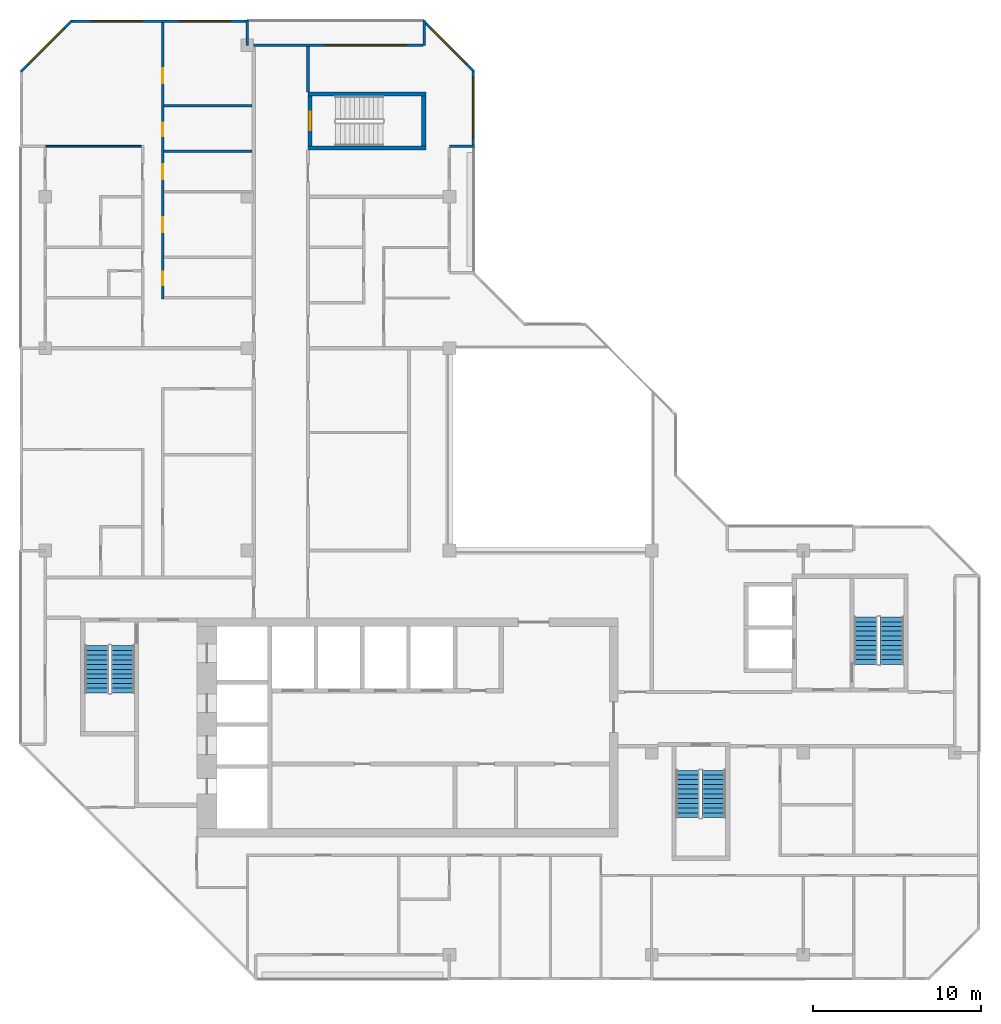
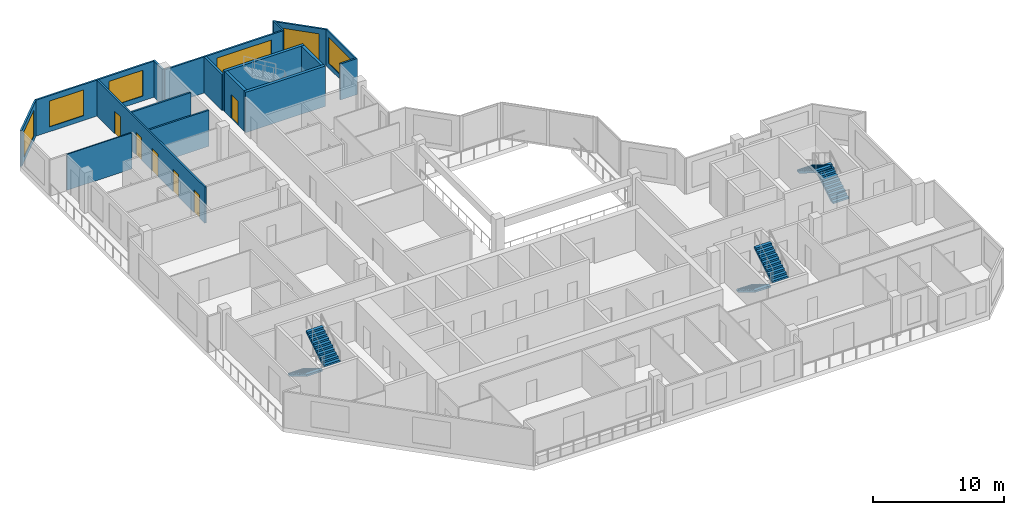
# One storey, part 9 of 12: 17 walls, 6 doors, 6 stair flights, 6 windows, 12 openings, 3 elements without a shape of their own.
"""IFC4 building model written with IfcOpenShell, lengths in metres."""

from ifc_helpers import new_model, si_unit, direction, frame, frame_2d, origin, place, context, subcontext, project, spatial, polyline, rectangle, outline, extrude, material, layer, layer_set, type_object, element, fill, aggregate, save


model = new_model("IFC4")

# Units and contexts
model_context = context("Model", 3, precision=1e-05, world=origin(), true_north=direction((0.0, 1.0)))
body_context = subcontext(model_context, "Body", "Model", "MODEL_VIEW")
ifc_project = project(units=[si_unit("LENGTHUNIT", "METRE"), si_unit("AREAUNIT", "SQUARE_METRE"), si_unit("VOLUMEUNIT", "CUBIC_METRE"), si_unit("PLANEANGLEUNIT", "RADIAN"), si_unit("MASSUNIT", "GRAM", prefix="KILO")], contexts=[model_context])

# Site, building, storey
site_placement = place(None, origin())
site = spatial("IfcSite", under=ifc_project, at=site_placement, CompositionType="ELEMENT")
building_placement = place(site_placement, origin())
building = spatial("IfcBuilding", under=site, at=building_placement, Name="Chenar Terraces", CompositionType="ELEMENT")
storey_placement = place(building_placement, frame((0.0, 0.0, 350.14990234375)))
storey = spatial("IfcBuildingStorey", under=building, at=storey_placement, Name="L81", CompositionType="ELEMENT", Elevation=350.14990234375)

# Walls
ifc_material_1 = material(Name="Concrete C50/60", Category="concrete")
ifc_layer_1 = layer(ifc_material_1, 0.25)
ifc_layer_set_1 = layer_set([ifc_layer_1], Name="Concrete C50/60")
wall_type_1 = type_object("IfcWallType", Name="Core wall 250 Concrete C50/60", PredefinedType="SHEAR", material=ifc_layer_set_1)
for number, where, z_axis, x_axis, name in (
    (1, (15.60009765625, 47.89990234375, 0.0), (0.0, 0.0, 1.0), (1.0, 0.0, 0.0), "Core wall ST4_S L81"),
    (2, (15.60009765625, 51.10009765625, 0.0), (0.0, 0.0, 1.0), (1.0, 0.0, 0.0), "Core wall ST4_N L81"),
):
    element("IfcWall", number, at=place(storey_placement, frame(where, z_axis=z_axis, x_axis=x_axis)), inside=storey, type_object=wall_type_1, Name=name, PredefinedType="SHEAR", context=body_context, shape_type="SweptSolid", body=[
        extrude(rectangle(XDim=7.0, YDim=0.25, at=frame_2d((3.5, 0.0))), origin(), (0.0, 0.0, 1.0), 3.75),
    ])

# Wall, opening, door
wall_1_placement = place(storey_placement, frame((15.72509765625, 48.02490234375, 0.0), z_axis=(0.0, 0.0, 1.0), x_axis=(0.0, 1.0, 0.0)))
wall_1 = element("IfcWall", 3, at=wall_1_placement, inside=storey, type_object=wall_type_1, Name="Core wall ST4_W L81", PredefinedType="SHEAR", context=body_context, shape_type="SweptSolid", body=[
    extrude(rectangle(XDim=2.9501953125, YDim=0.25, at=frame_2d((1.47509765625, 0.0))), origin(), (0.0, 0.0, 1.0), 3.75),
])
opening_1_placement = place(wall_1_placement, frame((0.925048828125, 0.0, 0.0)))
opening_1 = element("IfcOpeningElement", 4, at=opening_1_placement, cuts=wall_1, Name="Opening DL81-C9", PredefinedType="OPENING", context=body_context, shape_type="SweptSolid", body=[
    extrude(rectangle(XDim=1.10009765625, YDim=2.199951171875, at=frame_2d((0.550048828125, 1.10009765625))), frame((0.0, 0.135009765625, 0.0), z_axis=(0.0, -1.0, 0.0), x_axis=(1.0, 0.0, 0.0)), (0.0, 0.0, 1.0), 0.27001953125),
])
ifc_material_2 = material(Name="Steel-framed fire-resisting door leaf", Category="steel")
door_type_1 = type_object("IfcDoorType", Name="Stair fire door FD60 1100 x 2200", OperationType="SINGLE_SWING_LEFT", PredefinedType="DOOR", material=ifc_material_2)
door_1_placement = place(opening_1_placement, frame((1.10009765625, 0.0, 0.0), z_axis=(0.0, 0.0, 1.0), x_axis=(-1.0, 0.0, 0.0)))
door_1 = element("IfcDoor", 5, at=door_1_placement, inside=storey, type_object=door_type_1, Name="Stair door DL81-C9", OperationType="SINGLE_SWING_RIGHT", OverallHeight=2.199951171875, OverallWidth=1.10009765625, PredefinedType="DOOR", context=body_context, shape_type="SweptSolid", body=[
    extrude(rectangle(XDim=1.10009765625, YDim=2.199951171875, at=frame_2d((0.550048828125, 1.10009765625))), frame((0.0, 0.02490234375, 0.0), z_axis=(0.0, -1.0, 0.0), x_axis=(1.0, 0.0, 0.0)), (0.0, 0.0, 1.0), 0.050048828125),
])
fill(opening_1, door_1)

# Walls
wall_2_placement = place(storey_placement, frame((22.47509765625, 48.02490234375, 0.0), z_axis=(0.0, 0.0, 1.0), x_axis=(0.0, 1.0, 0.0)))
element("IfcWall", 6, at=wall_2_placement, inside=storey, type_object=wall_type_1, Name="Core wall ST4_E L81", PredefinedType="SHEAR", context=body_context, shape_type="SweptSolid", body=[
    extrude(rectangle(XDim=2.9501953125, YDim=0.25, at=frame_2d((1.47509765625, 0.0))), origin(), (0.0, 0.0, 1.0), 3.75),
])
ifc_material_3 = material(Name="Gypsum board on steel studs with fire boards", Category="steel")
ifc_layer_2 = layer(ifc_material_3, 0.199951171875)
ifc_layer_set_2 = layer_set([ifc_layer_2], Name="Gypsum board on steel studs with fire boards")
wall_type_2 = type_object("IfcWallType", Name="Corridor wall 200", PredefinedType="PARTITIONING", material=ifc_layer_set_2)
wall_3_placement = place(storey_placement, frame((15.60009765625, 51.22509765625, 0.0), z_axis=(0.0, 0.0, 1.0), x_axis=(0.0, 1.0, 0.0)))
element("IfcWall", 7, at=wall_3_placement, inside=storey, type_object=wall_type_2, Name="Partition L81-032", PredefinedType="PARTITIONING", context=body_context, shape_type="SweptSolid", body=[
    extrude(rectangle(XDim=2.700927734375, YDim=0.199951171875, at=frame_2d((1.3505859375, 0.0))), origin(), (0.0, 0.0, 1.0), 3.35009765625),
])

# Wall, opening, window
ifc_material_4 = material(Name="Aluminium framed glazing", Category="aluminium")
ifc_layer_3 = layer(ifc_material_4, 0.14990234375)
ifc_layer_set_3 = layer_set([ifc_layer_3], Name="Aluminium framed glazing")
wall_type_3 = type_object("IfcWallType", Name="Glazed flush facade wall 150", PredefinedType="SOLIDWALL", material=ifc_layer_set_3)
wall_4_placement = place(storey_placement, frame((25.425048828125, 48.074951171875, 0.0), z_axis=(0.0, 0.0, 1.0), x_axis=(0.0, 1.0, 0.0)))
wall_4 = element("IfcWall", 8, at=wall_4_placement, inside=storey, type_object=wall_type_3, Name="Glazed flush facade wall", PredefinedType="SOLIDWALL", context=body_context, shape_type="SweptSolid", body=[
    extrude(rectangle(XDim=4.425048828125, YDim=0.14990234375, at=frame_2d((2.21240234375, 0.0))), origin(), (0.0, 0.0, 1.0), 3.35009765625),
])
opening_2_placement = place(wall_4_placement, frame((0.41259765625, 0.0, 0.449951171875)))
opening_2 = element("IfcOpeningElement", 9, at=opening_2_placement, cuts=wall_4, Name="Opening W360x240", PredefinedType="OPENING", context=body_context, shape_type="SweptSolid", body=[
    extrude(rectangle(XDim=3.60009765625, YDim=2.39990234375, at=frame_2d((1.800048828125, 1.199951171875))), frame((0.0, 0.0849609375, 0.0), z_axis=(0.0, -1.0, 0.0), x_axis=(1.0, 0.0, 0.0)), (0.0, 0.0, 1.0), 0.169921875),
])
ifc_material_5 = material(Name="Low emissivity double glazing, aluminium frame", Category="aluminium")
window_type_1 = type_object("IfcWindowType", Name="Fixed light 3600 x 2400", PartitioningType="SINGLE_PANEL", PredefinedType="WINDOW", material=ifc_material_5)
window_1_placement = place(opening_2_placement, origin())
window_1 = element("IfcWindow", 10, at=window_1_placement, inside=storey, type_object=window_type_1, Name="Window", OverallHeight=2.39990234375, OverallWidth=3.60009765625, PartitioningType="SINGLE_PANEL", PredefinedType="WINDOW", context=body_context, shape_type="SweptSolid", body=[
    extrude(rectangle(XDim=3.60009765625, YDim=2.39990234375, at=frame_2d((1.800048828125, 1.199951171875))), frame((0.0, 0.030029296875, 0.0), z_axis=(0.0, -1.0, 0.0), x_axis=(1.0, 0.0, 0.0)), (0.0, 0.0, 1.0), 0.06005859375),
])
fill(opening_2, window_1)

# Wall, openings, windows
wall_5_placement = place(storey_placement, frame((11.925048828125, 55.425048828125, 0.0), z_axis=(0.0, 0.0, 1.0), x_axis=(-1.0, 0.0, 0.0)))
wall_5 = element("IfcWall", 11, at=wall_5_placement, inside=storey, type_object=wall_type_3, Name="Glazed flush facade wall", PredefinedType="SOLIDWALL", context=body_context, shape_type="SweptSolid", body=[
    extrude(rectangle(XDim=10.425048828125, YDim=0.14990234375, at=frame_2d((5.21240234375, 0.0))), origin(), (0.0, 0.0, 1.0), 3.35009765625),
])
opening_3_placement = place(wall_5_placement, frame((0.97509765625, 0.0, 0.449951171875)))
opening_3 = element("IfcOpeningElement", 12, at=opening_3_placement, cuts=wall_5, Name="Opening W300x240", PredefinedType="OPENING", context=body_context, shape_type="SweptSolid", body=[
    extrude(rectangle(XDim=3.0, YDim=2.39990234375, at=frame_2d((1.5, 1.199951171875))), frame((0.0, 0.0849609375, 0.0), z_axis=(0.0, -1.0, 0.0), x_axis=(1.0, 0.0, 0.0)), (0.0, 0.0, 1.0), 0.169921875),
])
opening_4_placement = place(wall_5_placement, frame((6.1875, 0.0, 0.449951171875)))
opening_4 = element("IfcOpeningElement", 13, at=opening_4_placement, cuts=wall_5, Name="Opening W300x240", PredefinedType="OPENING", context=body_context, shape_type="SweptSolid", body=[
    extrude(rectangle(XDim=3.0, YDim=2.39990234375, at=frame_2d((1.5, 1.199951171875))), frame((0.0, 0.0849609375, 0.0), z_axis=(0.0, -1.0, 0.0), x_axis=(1.0, 0.0, 0.0)), (0.0, 0.0, 1.0), 0.169921875),
])
ifc_material_6 = material(Name="Low emissivity double glazing, aluminium frame", Category="aluminium")
window_type_2 = type_object("IfcWindowType", Name="Fixed light 3000 x 2400", PartitioningType="SINGLE_PANEL", PredefinedType="WINDOW", material=ifc_material_6)
window_2_placement = place(opening_3_placement, origin())
window_2 = element("IfcWindow", 14, at=window_2_placement, inside=storey, type_object=window_type_2, Name="Window", OverallHeight=2.39990234375, OverallWidth=3.0, PartitioningType="SINGLE_PANEL", PredefinedType="WINDOW", context=body_context, shape_type="SweptSolid", body=[
    extrude(rectangle(XDim=3.0, YDim=2.39990234375, at=frame_2d((1.5, 1.199951171875))), frame((0.0, 0.030029296875, 0.0), z_axis=(0.0, -1.0, 0.0), x_axis=(1.0, 0.0, 0.0)), (0.0, 0.0, 1.0), 0.06005859375),
])
fill(opening_3, window_2)
window_3_placement = place(opening_4_placement, origin())
window_3 = element("IfcWindow", 15, at=window_3_placement, inside=storey, type_object=window_type_2, Name="Window", OverallHeight=2.39990234375, OverallWidth=3.0, PartitioningType="SINGLE_PANEL", PredefinedType="WINDOW", context=body_context, shape_type="SweptSolid", body=[
    extrude(rectangle(XDim=3.0, YDim=2.39990234375, at=frame_2d((1.5, 1.199951171875))), frame((0.0, 0.030029296875, 0.0), z_axis=(0.0, -1.0, 0.0), x_axis=(1.0, 0.0, 0.0)), (0.0, 0.0, 1.0), 0.06005859375),
])
fill(opening_4, window_3)

# Wall, opening, window
ifc_material_7 = material(Name="Aluminium framed glazing", Category="aluminium")
ifc_layer_4 = layer(ifc_material_7, 0.14990234375)
ifc_layer_set_4 = layer_set([ifc_layer_4], Name="Aluminium framed glazing")
wall_type_4 = type_object("IfcWallType", Name="Glazed loggia back wall 150", PredefinedType="SOLIDWALL", material=ifc_layer_set_4)
wall_6_placement = place(storey_placement, frame((22.425048828125, 54.0, 0.0), z_axis=(0.0, 0.0, 1.0), x_axis=(-1.0, 0.0, 0.0)))
wall_6 = element("IfcWall", 16, at=wall_6_placement, inside=storey, type_object=wall_type_4, Name="Glazed loggia back wall", PredefinedType="SOLIDWALL", context=body_context, shape_type="SweptSolid", body=[
    extrude(rectangle(XDim=10.35009765625, YDim=0.14990234375, at=frame_2d((5.175048828125, 0.0))), origin(), (0.0, 0.0, 1.0), 3.35009765625),
])
opening_5_placement = place(wall_6_placement, frame((1.012451171875, 0.0, 0.449951171875)))
opening_5 = element("IfcOpeningElement", 17, at=opening_5_placement, cuts=wall_6, Name="Opening W480x240", PredefinedType="OPENING", context=body_context, shape_type="SweptSolid", body=[
    extrude(rectangle(XDim=4.800048828125, YDim=2.39990234375, at=frame_2d((2.39990234375, 1.199951171875))), frame((0.0, 0.0849609375, 0.0), z_axis=(0.0, -1.0, 0.0), x_axis=(1.0, 0.0, 0.0)), (0.0, 0.0, 1.0), 0.169921875),
])
ifc_material_8 = material(Name="Low emissivity double glazing, aluminium frame", Category="aluminium")
window_type_3 = type_object("IfcWindowType", Name="Fixed light 4800 x 2400", PartitioningType="SINGLE_PANEL", PredefinedType="WINDOW", material=ifc_material_8)
window_4_placement = place(opening_5_placement, origin())
window_4 = element("IfcWindow", 18, at=window_4_placement, inside=storey, type_object=window_type_3, Name="Window", OverallHeight=2.39990234375, OverallWidth=4.800048828125, PartitioningType="SINGLE_PANEL", PredefinedType="WINDOW", context=body_context, shape_type="SweptSolid", body=[
    extrude(rectangle(XDim=4.800048828125, YDim=2.39990234375, at=frame_2d((2.39990234375, 1.199951171875))), frame((0.0, 0.030029296875, 0.0), z_axis=(0.0, -1.0, 0.0), x_axis=(1.0, 0.0, 0.0)), (0.0, 0.0, 1.0), 0.06005859375),
])
fill(opening_5, window_4)

# Walls
ifc_material_9 = material(Name="Gypsum board on steel studs", Category="steel")
ifc_layer_5 = layer(ifc_material_9, 0.10009765625)
ifc_layer_set_5 = layer_set([ifc_layer_5], Name="Gypsum board on steel studs")
wall_type_5 = type_object("IfcWallType", Name="Gypsum partition 100", PredefinedType="PARTITIONING", material=ifc_layer_set_5)
wall_7_placement = place(storey_placement, frame((0.0, 48.0, 0.0), z_axis=(0.0, 0.0, 1.0), x_axis=(1.0, 0.0, 0.0)))
element("IfcWall", 19, at=wall_7_placement, inside=storey, type_object=wall_type_5, Name="Partition L81-003", PredefinedType="PARTITIONING", context=body_context, shape_type="SweptSolid", body=[
    extrude(rectangle(XDim=5.699951171875, YDim=0.10009765625, at=frame_2d((2.85009765625, 0.0))), origin(), (0.0, 0.0, 1.0), 3.35009765625),
])
ifc_material_10 = material(Name="Terracotta cladding on insulated backing", Category="masonry")
ifc_layer_6 = layer(ifc_material_10, 0.14990234375)
ifc_layer_set_6 = layer_set([ifc_layer_6], Name="Terracotta cladding on insulated backing")
wall_type_6 = type_object("IfcWallType", Name="Loggia return wall 150", PredefinedType="SOLIDWALL", material=ifc_layer_set_6)
for number, where, z_axis, x_axis, name in (
    (20, (25.5, 48.0, 0.0), (0.0, 0.0, 1.0), (-1.0, 0.0, 0.0), "Loggia return wall"),
    (21, (22.5, 55.5, 0.0), (0.0, 0.0, 1.0), (0.0, -1.0, 0.0), "Loggia return wall"),
    (22, (12.0, 55.5, 0.0), (0.0, 0.0, 1.0), (0.0, -1.0, 0.0), "Loggia return wall"),
):
    element("IfcWall", number, at=place(storey_placement, frame(where, z_axis=z_axis, x_axis=x_axis)), inside=storey, type_object=wall_type_6, Name=name, PredefinedType="SOLIDWALL", context=body_context, shape_type="SweptSolid", body=[
        extrude(rectangle(XDim=1.5, YDim=0.14990234375, at=frame_2d((0.75, 0.0))), origin(), (0.0, 0.0, 1.0), 3.35009765625),
    ])

# Wall, opening, window
ifc_material_11 = material(Name="Terracotta cladding on insulated backing", Category="masonry")
ifc_layer_7 = layer(ifc_material_11, 0.14990234375)
ifc_layer_set_7 = layer_set([ifc_layer_7], Name="Terracotta cladding on insulated backing")
wall_type_7 = type_object("IfcWallType", Name="Terracotta rainscreen wall 150", PredefinedType="SOLIDWALL", material=ifc_layer_set_7)
wall_8_placement = place(storey_placement, frame((25.447021484375, 52.447021484375, 0.0), z_axis=(0.0, 0.0, 1.0), x_axis=(-0.707106781187, 0.707106781187, 0.0)))
wall_8 = element("IfcWall", 23, at=wall_8_placement, inside=storey, type_object=wall_type_7, Name="Terracotta rainscreen wall", PredefinedType="SOLIDWALL", context=body_context, shape_type="SweptSolid", body=[
    extrude(rectangle(XDim=4.24267578125, YDim=0.14990234375, at=frame_2d((2.121337890625, 0.0))), origin(), (0.0, 0.0, 1.0), 3.35009765625),
])
opening_6_placement = place(wall_8_placement, frame((0.621337890625, 0.0, 0.449951171875)))
opening_6 = element("IfcOpeningElement", 24, at=opening_6_placement, cuts=wall_8, Name="Opening W300x240", PredefinedType="OPENING", context=body_context, shape_type="SweptSolid", body=[
    extrude(rectangle(XDim=3.0, YDim=2.39990234375, at=frame_2d((1.5, 1.199951171875))), frame((0.0, 0.0849609375, 0.0), z_axis=(0.0, -1.0, 0.0), x_axis=(1.0, 0.0, 0.0)), (0.0, 0.0, 1.0), 0.169921875),
])
window_5_placement = place(opening_6_placement, origin())
window_5 = element("IfcWindow", 25, at=window_5_placement, inside=storey, type_object=window_type_2, Name="Window", OverallHeight=2.39990234375, OverallWidth=3.0, PartitioningType="SINGLE_PANEL", PredefinedType="WINDOW", context=body_context, shape_type="SweptSolid", body=[
    extrude(rectangle(XDim=3.0, YDim=2.39990234375, at=frame_2d((1.5, 1.199951171875))), frame((0.0, 0.030029296875, 0.0), z_axis=(0.0, -1.0, 0.0), x_axis=(1.0, 0.0, 0.0)), (0.0, 0.0, 1.0), 0.06005859375),
])
fill(opening_6, window_5)

wall_9_placement = place(storey_placement, frame((1.552978515625, 55.447021484375, 0.0), z_axis=(0.0, 0.0, 1.0), x_axis=(-0.707106781187, -0.707106781187, 0.0)))
wall_9 = element("IfcWall", 26, at=wall_9_placement, inside=storey, type_object=wall_type_7, Name="Terracotta rainscreen wall", PredefinedType="SOLIDWALL", context=body_context, shape_type="SweptSolid", body=[
    extrude(rectangle(XDim=4.24267578125, YDim=0.14990234375, at=frame_2d((2.121337890625, 0.0))), origin(), (0.0, 0.0, 1.0), 3.35009765625),
])
opening_7_placement = place(wall_9_placement, frame((0.621337890625, 0.0, 0.449951171875)))
opening_7 = element("IfcOpeningElement", 27, at=opening_7_placement, cuts=wall_9, Name="Opening W300x240", PredefinedType="OPENING", context=body_context, shape_type="SweptSolid", body=[
    extrude(rectangle(XDim=3.0, YDim=2.39990234375, at=frame_2d((1.5, 1.199951171875))), frame((0.0, 0.0849609375, 0.0), z_axis=(0.0, -1.0, 0.0), x_axis=(1.0, 0.0, 0.0)), (0.0, 0.0, 1.0), 0.169921875),
])
window_6_placement = place(opening_7_placement, origin())
window_6 = element("IfcWindow", 28, at=window_6_placement, inside=storey, type_object=window_type_2, Name="Window", OverallHeight=2.39990234375, OverallWidth=3.0, PartitioningType="SINGLE_PANEL", PredefinedType="WINDOW", context=body_context, shape_type="SweptSolid", body=[
    extrude(rectangle(XDim=3.0, YDim=2.39990234375, at=frame_2d((1.5, 1.199951171875))), frame((0.0, 0.030029296875, 0.0), z_axis=(0.0, -1.0, 0.0), x_axis=(1.0, 0.0, 0.0)), (0.0, 0.0, 1.0), 0.06005859375),
])
fill(opening_7, window_6)

# Wall, openings, doors
ifc_material_12 = material(Name="Moisture-resistant gypsum board on steel studs", Category="steel")
ifc_layer_8 = layer(ifc_material_12, 0.14990234375)
ifc_layer_set_8 = layer_set([ifc_layer_8], Name="Moisture-resistant gypsum board on steel studs")
wall_type_8 = type_object("IfcWallType", Name="Wet-room partition 150", PredefinedType="PARTITIONING", material=ifc_layer_set_8)
wall_10_placement = place(storey_placement, frame((6.97509765625, 38.925048828125, 0.0), z_axis=(0.0, 0.0, 1.0), x_axis=(0.0, 1.0, 0.0)))
wall_10 = element("IfcWall", 29, at=wall_10_placement, inside=storey, type_object=wall_type_8, Name="Partition L81-018", PredefinedType="PARTITIONING", context=body_context, shape_type="SweptSolid", body=[
    extrude(rectangle(XDim=16.425048828125, YDim=0.14990234375, at=frame_2d((8.21240234375, 0.0))), origin(), (0.0, 0.0, 1.0), 3.35009765625),
])
opening_8_placement = place(wall_10_placement, frame((0.824951171875, 0.0, 0.0)))
opening_8 = element("IfcOpeningElement", 30, at=opening_8_placement, cuts=wall_10, Name="Opening DL81-9", PredefinedType="OPENING", context=body_context, shape_type="SweptSolid", body=[
    extrude(rectangle(XDim=0.800048828125, YDim=2.10009765625, at=frame_2d((0.39990234375, 1.050048828125))), frame((0.0, 0.0849609375, 0.0), z_axis=(0.0, -1.0, 0.0), x_axis=(1.0, 0.0, 0.0)), (0.0, 0.0, 1.0), 0.169921875),
])
opening_9_placement = place(wall_10_placement, frame((12.824951171875, 0.0, 0.0)))
opening_9 = element("IfcOpeningElement", 31, at=opening_9_placement, cuts=wall_10, Name="Opening DL81-13", PredefinedType="OPENING", context=body_context, shape_type="SweptSolid", body=[
    extrude(rectangle(XDim=0.89990234375, YDim=2.10009765625, at=frame_2d((0.449951171875, 1.050048828125))), frame((0.0, 0.0849609375, 0.0), z_axis=(0.0, -1.0, 0.0), x_axis=(1.0, 0.0, 0.0)), (0.0, 0.0, 1.0), 0.169921875),
])
opening_10_placement = place(wall_10_placement, frame((3.97509765625, 0.0, 0.0)))
opening_10 = element("IfcOpeningElement", 32, at=opening_10_placement, cuts=wall_10, Name="Opening DL81-17", PredefinedType="OPENING", context=body_context, shape_type="SweptSolid", body=[
    extrude(rectangle(XDim=0.89990234375, YDim=2.10009765625, at=frame_2d((0.449951171875, 1.050048828125))), frame((0.0, 0.0849609375, 0.0), z_axis=(0.0, -1.0, 0.0), x_axis=(1.0, 0.0, 0.0)), (0.0, 0.0, 1.0), 0.169921875),
])
opening_11_placement = place(wall_10_placement, frame((7.125, 0.0, 0.0)))
opening_11 = element("IfcOpeningElement", 33, at=opening_11_placement, cuts=wall_10, Name="Opening DL81-18", PredefinedType="OPENING", context=body_context, shape_type="SweptSolid", body=[
    extrude(rectangle(XDim=0.89990234375, YDim=2.10009765625, at=frame_2d((0.449951171875, 1.050048828125))), frame((0.0, 0.0849609375, 0.0), z_axis=(0.0, -1.0, 0.0), x_axis=(1.0, 0.0, 0.0)), (0.0, 0.0, 1.0), 0.169921875),
])
opening_12_placement = place(wall_10_placement, frame((9.675048828125, 0.0, 0.0)))
opening_12 = element("IfcOpeningElement", 34, at=opening_12_placement, cuts=wall_10, Name="Opening DL81-19", PredefinedType="OPENING", context=body_context, shape_type="SweptSolid", body=[
    extrude(rectangle(XDim=0.800048828125, YDim=2.10009765625, at=frame_2d((0.39990234375, 1.050048828125))), frame((0.0, 0.0849609375, 0.0), z_axis=(0.0, -1.0, 0.0), x_axis=(1.0, 0.0, 0.0)), (0.0, 0.0, 1.0), 0.169921875),
])
ifc_material_13 = material(Name="Veneered timber door leaf", Category="wood")
door_type_2 = type_object("IfcDoorType", Name="Door 800 x 2100", OperationType="SINGLE_SWING_LEFT", PredefinedType="DOOR", material=ifc_material_13)
door_2_placement = place(opening_8_placement, frame((0.800048828125, 0.0, 0.0), z_axis=(0.0, 0.0, 1.0), x_axis=(-1.0, 0.0, 0.0)))
door_2 = element("IfcDoor", 35, at=door_2_placement, inside=storey, type_object=door_type_2, Name="Door DL81-9", OperationType="SINGLE_SWING_RIGHT", OverallHeight=2.10009765625, OverallWidth=0.800048828125, PredefinedType="DOOR", context=body_context, shape_type="SweptSolid", body=[
    extrude(rectangle(XDim=0.800048828125, YDim=2.10009765625, at=frame_2d((0.39990234375, 1.050048828125))), frame((0.0, 0.02490234375, 0.0), z_axis=(0.0, -1.0, 0.0), x_axis=(1.0, 0.0, 0.0)), (0.0, 0.0, 1.0), 0.050048828125),
])
fill(opening_8, door_2)
door_3_placement = place(opening_12_placement, frame((0.800048828125, 0.0, 0.0), z_axis=(0.0, 0.0, 1.0), x_axis=(-1.0, 0.0, 0.0)))
door_3 = element("IfcDoor", 36, at=door_3_placement, inside=storey, type_object=door_type_2, Name="Door DL81-19", OperationType="SINGLE_SWING_RIGHT", OverallHeight=2.10009765625, OverallWidth=0.800048828125, PredefinedType="DOOR", context=body_context, shape_type="SweptSolid", body=[
    extrude(rectangle(XDim=0.800048828125, YDim=2.10009765625, at=frame_2d((0.39990234375, 1.050048828125))), frame((0.0, 0.02490234375, 0.0), z_axis=(0.0, -1.0, 0.0), x_axis=(1.0, 0.0, 0.0)), (0.0, 0.0, 1.0), 0.050048828125),
])
fill(opening_12, door_3)
ifc_material_14 = material(Name="Veneered timber door leaf", Category="wood")
door_type_3 = type_object("IfcDoorType", Name="Door 900 x 2100", OperationType="SINGLE_SWING_LEFT", PredefinedType="DOOR", material=ifc_material_14)
door_4_placement = place(opening_9_placement, frame((0.89990234375, 0.0, 0.0), z_axis=(0.0, 0.0, 1.0), x_axis=(-1.0, 0.0, 0.0)))
door_4 = element("IfcDoor", 37, at=door_4_placement, inside=storey, type_object=door_type_3, Name="Door DL81-13", OperationType="SINGLE_SWING_RIGHT", OverallHeight=2.10009765625, OverallWidth=0.89990234375, PredefinedType="DOOR", context=body_context, shape_type="SweptSolid", body=[
    extrude(rectangle(XDim=0.89990234375, YDim=2.10009765625, at=frame_2d((0.449951171875, 1.050048828125))), frame((0.0, 0.02490234375, 0.0), z_axis=(0.0, -1.0, 0.0), x_axis=(1.0, 0.0, 0.0)), (0.0, 0.0, 1.0), 0.050048828125),
])
fill(opening_9, door_4)
door_5_placement = place(opening_10_placement, frame((0.89990234375, 0.0, 0.0), z_axis=(0.0, 0.0, 1.0), x_axis=(-1.0, 0.0, 0.0)))
door_5 = element("IfcDoor", 38, at=door_5_placement, inside=storey, type_object=door_type_3, Name="Door DL81-17", OperationType="SINGLE_SWING_LEFT", OverallHeight=2.10009765625, OverallWidth=0.89990234375, PredefinedType="DOOR", context=body_context, shape_type="SweptSolid", body=[
    extrude(rectangle(XDim=0.89990234375, YDim=2.10009765625, at=frame_2d((0.449951171875, 1.050048828125))), frame((0.0, 0.02490234375, 0.0), z_axis=(0.0, -1.0, 0.0), x_axis=(1.0, 0.0, 0.0)), (0.0, 0.0, 1.0), 0.050048828125),
])
fill(opening_10, door_5)
door_6_placement = place(opening_11_placement, frame((0.89990234375, 0.0, 0.0), z_axis=(0.0, 0.0, 1.0), x_axis=(-1.0, 0.0, 0.0)))
door_6 = element("IfcDoor", 39, at=door_6_placement, inside=storey, type_object=door_type_3, Name="Door DL81-18", OperationType="SINGLE_SWING_RIGHT", OverallHeight=2.10009765625, OverallWidth=0.89990234375, PredefinedType="DOOR", context=body_context, shape_type="SweptSolid", body=[
    extrude(rectangle(XDim=0.89990234375, YDim=2.10009765625, at=frame_2d((0.449951171875, 1.050048828125))), frame((0.0, 0.02490234375, 0.0), z_axis=(0.0, -1.0, 0.0), x_axis=(1.0, 0.0, 0.0)), (0.0, 0.0, 1.0), 0.050048828125),
])
fill(opening_11, door_6)

# Walls
for number, where, z_axis, x_axis, name in (
    (40, (7.050048828125, 47.699951171875, 0.0), (0.0, 0.0, 1.0), (1.0, 0.0, 0.0), "Partition L81-024"),
    (41, (7.050048828125, 50.39990234375, 0.0), (0.0, 0.0, 1.0), (1.0, 0.0, 0.0), "Partition L81-025"),
):
    element("IfcWall", number, at=place(storey_placement, frame(where, z_axis=z_axis, x_axis=x_axis)), inside=storey, type_object=wall_type_8, Name=name, PredefinedType="PARTITIONING", context=body_context, shape_type="SweptSolid", body=[
        extrude(rectangle(XDim=5.224853515625, YDim=0.14990234375, at=frame_2d((2.6123046875, 0.0))), origin(), (0.0, 0.0, 1.0), 3.35009765625),
    ])

# Stair, stair flights
ifc_material_15 = material(Name="Reinforced concrete C40/50", Category="concrete")
stair_type = type_object("IfcStairType", Name="Core stair 1400 half-turn", PredefinedType="HALF_TURN_STAIR", material=ifc_material_15)
placement = place(storey_placement, origin())
stair_1 = element("IfcStair", 42, at=placement, inside=storey, type_object=stair_type, Name="L81 Stair 1", PredefinedType="HALF_TURN_STAIR")
ifc_material_16 = material(Name="Reinforced concrete C40/50", Category="concrete")
stair_flight_type = type_object("IfcStairFlightType", Name="Core stair flight 1400", PredefinedType="STRAIGHT", material=ifc_material_16)
stair_flight_1_placement = place(storey_placement, frame((3.050048828125, 18.35009765625, 0.0), z_axis=(0.0, 0.0, 1.0), x_axis=(0.0, -1.0, 0.0)))
stair_flight_1 = element("IfcStairFlight", 43, at=stair_flight_1_placement, type_object=stair_flight_type, Name="ST1 flight 1", NumberOfRisers=11, NumberOfTreads=10, PredefinedType="STRAIGHT", RiserHeight=0.170454545, TreadLength=0.28, context=body_context, shape_type="SweptSolid", body=[
    extrude(outline(polyline([(-0.0029296875, 0.0), (-0.0029296875, 0.17041015625), (0.0, 0.17041015625), (0.280029296875, 0.17041015625), (0.280029296875, 0.3408203125), (0.56005859375, 0.3408203125), (0.56005859375, 0.511474609375), (0.840087890625, 0.511474609375), (0.840087890625, 0.681884765625), (1.1201171875, 0.681884765625), (1.1201171875, 0.852294921875), (1.39990234375, 0.852294921875), (1.39990234375, 1.022705078125), (1.679931640625, 1.022705078125), (1.679931640625, 1.193115234375), (1.9599609375, 1.193115234375), (1.9599609375, 1.363525390625), (2.239990234375, 1.363525390625), (2.239990234375, 1.5341796875), (2.52001953125, 1.5341796875), (2.52001953125, 1.70458984375), (2.800048828125, 1.70458984375), (2.802978515625, 1.70458984375), (2.802978515625, 1.529052734375), (2.800048828125, 1.529052734375), (0.288330078125, 0.0), (-0.0029296875, 0.0)])), frame((0.0, 0.699951171875, 0.0), z_axis=(0.0, -1.0, 0.0), x_axis=(1.0, 0.0, 0.0)), (0.0, 0.0, 1.0), 1.39990234375),
])
stair_flight_2_placement = place(storey_placement, frame((4.60009765625, 15.550048828125, 1.875), z_axis=(0.0, 0.0, 1.0), x_axis=(0.0, 1.0, 0.0)))
stair_flight_2 = element("IfcStairFlight", 44, at=stair_flight_2_placement, type_object=stair_flight_type, Name="ST1 flight 2", NumberOfRisers=11, NumberOfTreads=10, PredefinedType="STRAIGHT", RiserHeight=0.170454545, TreadLength=0.28, context=body_context, shape_type="SweptSolid", body=[
    extrude(outline(polyline([(-0.0029296875, 0.0), (-0.0029296875, 0.17041015625), (0.0, 0.17041015625), (0.280029296875, 0.17041015625), (0.280029296875, 0.3408203125), (0.56005859375, 0.3408203125), (0.56005859375, 0.511474609375), (0.840087890625, 0.511474609375), (0.840087890625, 0.681884765625), (1.1201171875, 0.681884765625), (1.1201171875, 0.852294921875), (1.39990234375, 0.852294921875), (1.39990234375, 1.022705078125), (1.679931640625, 1.022705078125), (1.679931640625, 1.193115234375), (1.9599609375, 1.193115234375), (1.9599609375, 1.363525390625), (2.239990234375, 1.363525390625), (2.239990234375, 1.5341796875), (2.52001953125, 1.5341796875), (2.52001953125, 1.70458984375), (2.800048828125, 1.70458984375), (2.802978515625, 1.70458984375), (2.802978515625, 1.529052734375), (2.800048828125, 1.529052734375), (0.288330078125, 0.0), (-0.0029296875, 0.0)])), frame((0.0, 0.699951171875, 0.0), z_axis=(0.0, -1.0, 0.0), x_axis=(1.0, 0.0, 0.0)), (0.0, 0.0, 1.0), 1.39990234375),
])
aggregate(stair_1, [stair_flight_1, stair_flight_2])

stair_2 = element("IfcStair", 45, at=placement, inside=storey, type_object=stair_type, Name="L81 Stair 2", PredefinedType="HALF_TURN_STAIR")
stair_flight_3_placement = place(storey_placement, frame((38.14990234375, 10.949951171875, 0.0), z_axis=(0.0, 0.0, 1.0), x_axis=(0.0, -1.0, 0.0)))
stair_flight_3 = element("IfcStairFlight", 46, at=stair_flight_3_placement, type_object=stair_flight_type, Name="ST2 flight 1", NumberOfRisers=11, NumberOfTreads=10, PredefinedType="STRAIGHT", RiserHeight=0.170454545, TreadLength=0.28, context=body_context, shape_type="SweptSolid", body=[
    extrude(outline(polyline([(-0.0029296875, 0.0), (-0.0029296875, 0.17041015625), (0.0, 0.17041015625), (0.280029296875, 0.17041015625), (0.280029296875, 0.3408203125), (0.56005859375, 0.3408203125), (0.56005859375, 0.511474609375), (0.840087890625, 0.511474609375), (0.840087890625, 0.681884765625), (1.1201171875, 0.681884765625), (1.1201171875, 0.852294921875), (1.39990234375, 0.852294921875), (1.39990234375, 1.022705078125), (1.679931640625, 1.022705078125), (1.679931640625, 1.193115234375), (1.9599609375, 1.193115234375), (1.9599609375, 1.363525390625), (2.239990234375, 1.363525390625), (2.239990234375, 1.5341796875), (2.52001953125, 1.5341796875), (2.52001953125, 1.70458984375), (2.800048828125, 1.70458984375), (2.802978515625, 1.70458984375), (2.802978515625, 1.529052734375), (2.800048828125, 1.529052734375), (0.288330078125, 0.0), (-0.0029296875, 0.0)])), frame((0.0, 0.699951171875, 0.0), z_axis=(0.0, -1.0, 0.0), x_axis=(1.0, 0.0, 0.0)), (0.0, 0.0, 1.0), 1.39990234375),
])
stair_flight_4_placement = place(storey_placement, frame((39.699951171875, 8.14990234375, 1.875), z_axis=(0.0, 0.0, 1.0), x_axis=(0.0, 1.0, 0.0)))
stair_flight_4 = element("IfcStairFlight", 47, at=stair_flight_4_placement, type_object=stair_flight_type, Name="ST2 flight 2", NumberOfRisers=11, NumberOfTreads=10, PredefinedType="STRAIGHT", RiserHeight=0.170454545, TreadLength=0.28, context=body_context, shape_type="SweptSolid", body=[
    extrude(outline(polyline([(-0.0029296875, 0.0), (-0.0029296875, 0.17041015625), (0.0, 0.17041015625), (0.280029296875, 0.17041015625), (0.280029296875, 0.3408203125), (0.56005859375, 0.3408203125), (0.56005859375, 0.511474609375), (0.840087890625, 0.511474609375), (0.840087890625, 0.681884765625), (1.1201171875, 0.681884765625), (1.1201171875, 0.852294921875), (1.39990234375, 0.852294921875), (1.39990234375, 1.022705078125), (1.679931640625, 1.022705078125), (1.679931640625, 1.193115234375), (1.9599609375, 1.193115234375), (1.9599609375, 1.363525390625), (2.239990234375, 1.363525390625), (2.239990234375, 1.5341796875), (2.52001953125, 1.5341796875), (2.52001953125, 1.70458984375), (2.800048828125, 1.70458984375), (2.802978515625, 1.70458984375), (2.802978515625, 1.529052734375), (2.800048828125, 1.529052734375), (0.288330078125, 0.0), (-0.0029296875, 0.0)])), frame((0.0, 0.699951171875, 0.0), z_axis=(0.0, -1.0, 0.0), x_axis=(1.0, 0.0, 0.0)), (0.0, 0.0, 1.0), 1.39990234375),
])
aggregate(stair_2, [stair_flight_3, stair_flight_4])

stair_3 = element("IfcStair", 48, at=placement, inside=storey, type_object=stair_type, Name="L81 Stair 3", PredefinedType="HALF_TURN_STAIR")
stair_flight_5_placement = place(storey_placement, frame((50.27490234375, 17.25, 0.0), z_axis=(0.0, 0.0, 1.0), x_axis=(0.0, 1.0, 0.0)))
stair_flight_5 = element("IfcStairFlight", 49, at=stair_flight_5_placement, type_object=stair_flight_type, Name="ST3 flight 1", NumberOfRisers=11, NumberOfTreads=10, PredefinedType="STRAIGHT", RiserHeight=0.170454545, TreadLength=0.28, context=body_context, shape_type="SweptSolid", body=[
    extrude(outline(polyline([(-0.0029296875, 0.0), (-0.0029296875, 0.17041015625), (0.0, 0.17041015625), (0.280029296875, 0.17041015625), (0.280029296875, 0.3408203125), (0.56005859375, 0.3408203125), (0.56005859375, 0.511474609375), (0.840087890625, 0.511474609375), (0.840087890625, 0.681884765625), (1.1201171875, 0.681884765625), (1.1201171875, 0.852294921875), (1.39990234375, 0.852294921875), (1.39990234375, 1.022705078125), (1.679931640625, 1.022705078125), (1.679931640625, 1.193115234375), (1.9599609375, 1.193115234375), (1.9599609375, 1.363525390625), (2.239990234375, 1.363525390625), (2.239990234375, 1.5341796875), (2.52001953125, 1.5341796875), (2.52001953125, 1.70458984375), (2.800048828125, 1.70458984375), (2.802978515625, 1.70458984375), (2.802978515625, 1.529052734375), (2.800048828125, 1.529052734375), (0.288330078125, 0.0), (-0.0029296875, 0.0)])), frame((0.0, 0.699951171875, 0.0), z_axis=(0.0, -1.0, 0.0), x_axis=(1.0, 0.0, 0.0)), (0.0, 0.0, 1.0), 1.39990234375),
])
stair_flight_6_placement = place(storey_placement, frame((48.72509765625, 20.050048828125, 1.875), z_axis=(0.0, 0.0, 1.0), x_axis=(0.0, -1.0, 0.0)))
stair_flight_6 = element("IfcStairFlight", 50, at=stair_flight_6_placement, type_object=stair_flight_type, Name="ST3 flight 2", NumberOfRisers=11, NumberOfTreads=10, PredefinedType="STRAIGHT", RiserHeight=0.170454545, TreadLength=0.28, context=body_context, shape_type="SweptSolid", body=[
    extrude(outline(polyline([(-0.0029296875, 0.0), (-0.0029296875, 0.17041015625), (0.0, 0.17041015625), (0.280029296875, 0.17041015625), (0.280029296875, 0.3408203125), (0.56005859375, 0.3408203125), (0.56005859375, 0.511474609375), (0.840087890625, 0.511474609375), (0.840087890625, 0.681884765625), (1.1201171875, 0.681884765625), (1.1201171875, 0.852294921875), (1.39990234375, 0.852294921875), (1.39990234375, 1.022705078125), (1.679931640625, 1.022705078125), (1.679931640625, 1.193115234375), (1.9599609375, 1.193115234375), (1.9599609375, 1.363525390625), (2.239990234375, 1.363525390625), (2.239990234375, 1.5341796875), (2.52001953125, 1.5341796875), (2.52001953125, 1.70458984375), (2.800048828125, 1.70458984375), (2.802978515625, 1.70458984375), (2.802978515625, 1.529052734375), (2.800048828125, 1.529052734375), (0.288330078125, 0.0), (-0.0029296875, 0.0)])), frame((0.0, 0.699951171875, 0.0), z_axis=(0.0, -1.0, 0.0), x_axis=(1.0, 0.0, 0.0)), (0.0, 0.0, 1.0), 1.39990234375),
])
aggregate(stair_3, [stair_flight_5, stair_flight_6])

save(model, "model.ifc")
